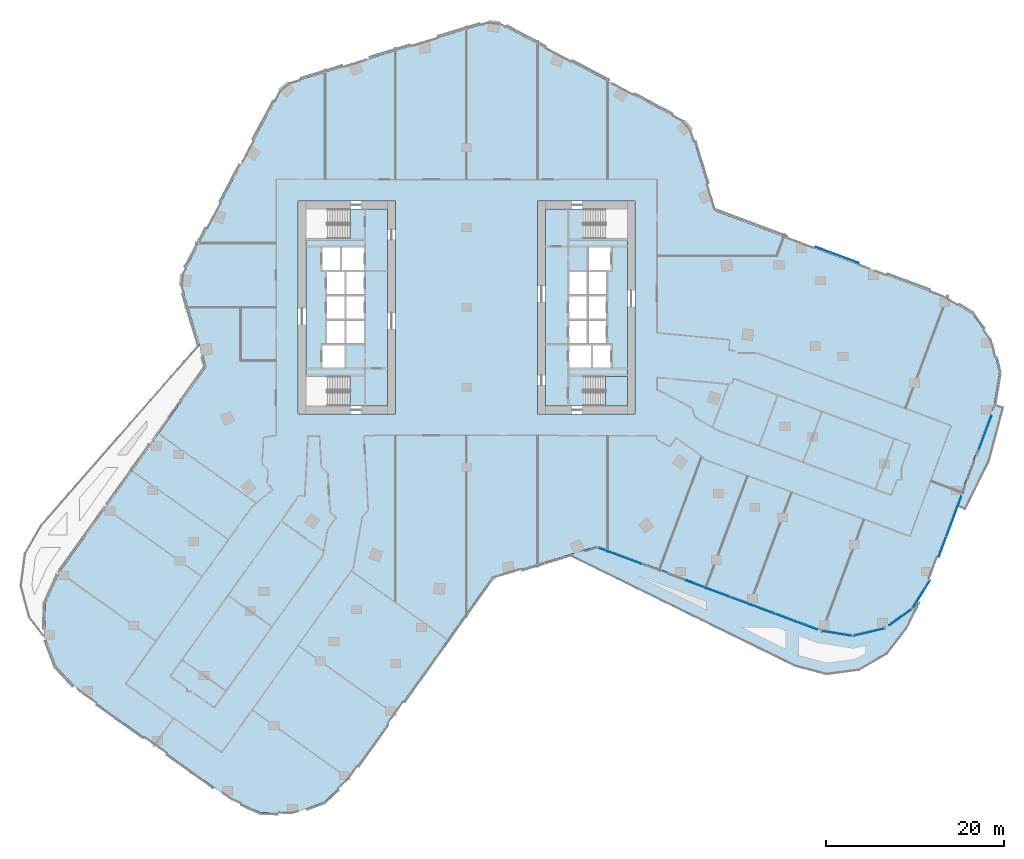
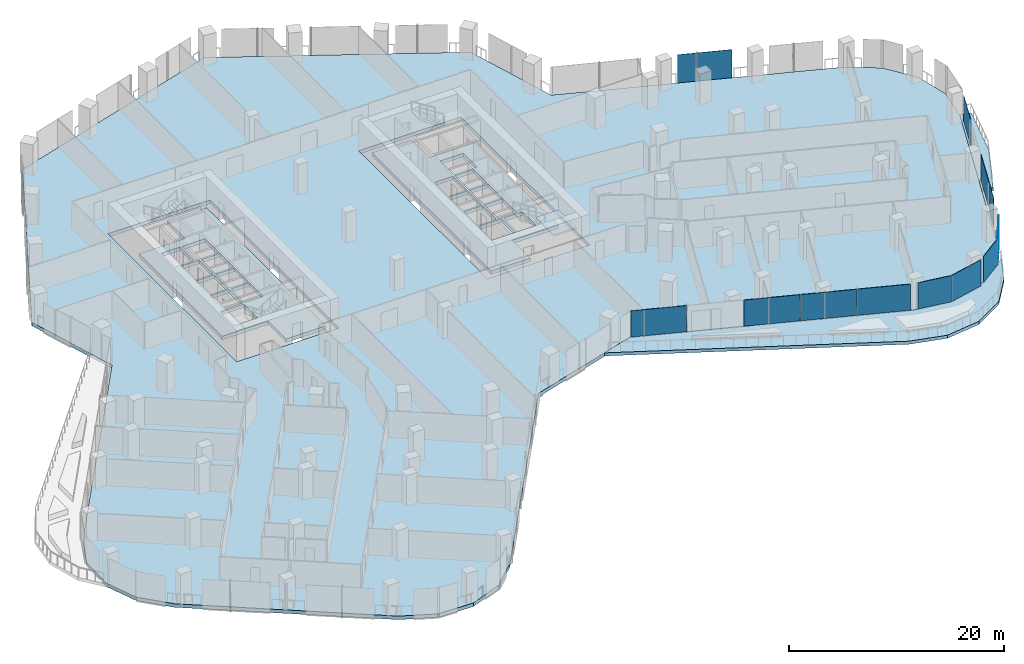
# One storey, part 18 of 30: 13 plates, 6 slabs, 8 elements without a shape of their own.
"""IFC4 building model written with IfcOpenShell, lengths in metres."""

from ifc_helpers import new_model, si_unit, direction, frame, origin, origin_2d, place, context, subcontext, project, spatial, polyline, rectangle, outline, extrude, material, layer, layer_set, type_object, element, aggregate, save


model = new_model("IFC4")

# Units and contexts
model_context = context("Model", 3, precision=1e-05, world=origin(), true_north=direction((0.0, 1.0)))
body_context = subcontext(model_context, "Body", "Model", "MODEL_VIEW")
ifc_project = project(units=[si_unit("LENGTHUNIT", "METRE"), si_unit("AREAUNIT", "SQUARE_METRE"), si_unit("VOLUMEUNIT", "CUBIC_METRE"), si_unit("PLANEANGLEUNIT", "RADIAN"), si_unit("MASSUNIT", "GRAM", prefix="KILO")], contexts=[model_context])

# Site, building, storey
site_placement = place(None, origin())
site = spatial("IfcSite", under=ifc_project, at=site_placement, CompositionType="ELEMENT")
building_placement = place(site_placement, origin())
building = spatial("IfcBuilding", under=site, at=building_placement, Name="Orlundy Tower", CompositionType="ELEMENT")
storey_placement = place(building_placement, frame((0.0, 0.0, 80.699951171875)))
storey = spatial("IfcBuildingStorey", under=building, at=storey_placement, Name="L19", CompositionType="ELEMENT", Elevation=80.699951171875)

# Curtain wall, plates
ifc_material_1 = material(Name="Aluminium bronze anodised", Category="aluminium")
curtain_wall_type = type_object("IfcCurtainWallType", Name="CW1 wall", PredefinedType="NOTDEFINED", material=ifc_material_1)
curtain_wall_1_placement = place(storey_placement, origin())
curtain_wall_1 = element("IfcCurtainWall", 1, at=curtain_wall_1_placement, inside=storey, type_object=curtain_wall_type, Name="CW1 run 06", PredefinedType="NOTDEFINED")
ifc_material_2 = material(Name="Tinted glass", Category="glass")
ifc_layer_1 = layer(ifc_material_2, 0.031982421875)
ifc_layer_set_1 = layer_set([ifc_layer_1], Name="CW1 glass panel 32")
plate_type = type_object("IfcPlateType", Name="CW1 glass panel 32", PredefinedType="CURTAIN_PANEL", material=ifc_layer_set_1)
plate_1_placement = place(storey_placement, frame((40.144287109375, 6.517822265625, -0.27978515625), z_axis=(0.0, 0.0, 1.0), x_axis=(0.93667352363, -0.350203812273, 0.0)))
plate_1 = element("IfcPlate", 2, at=plate_1_placement, type_object=plate_type, Name="CW1 panel", PredefinedType="CURTAIN_PANEL", context=body_context, shape_type="SweptSolid", body=[
    extrude(rectangle(XDim=1.779052734375, YDim=0.031982421875, at=origin_2d()), origin(), (0.0, 0.0, 1.0), 3.3798828125),
])
plate_2_placement = place(storey_placement, frame((42.58544921875, 5.605224609375, -0.27978515625), z_axis=(0.0, 0.0, 1.0), x_axis=(0.93667352363, -0.350203812273, 0.0)))
plate_2 = element("IfcPlate", 3, at=plate_2_placement, type_object=plate_type, Name="CW1 panel", PredefinedType="CURTAIN_PANEL", context=body_context, shape_type="SweptSolid", body=[
    extrude(rectangle(XDim=3.3330078125, YDim=0.031982421875, at=origin_2d()), origin(), (0.0, 0.0, 1.0), 3.3798828125),
])
aggregate(curtain_wall_1, [plate_1, plate_2])

curtain_wall_2_placement = place(storey_placement, origin())
curtain_wall_2 = element("IfcCurtainWall", 4, at=curtain_wall_2_placement, inside=storey, type_object=curtain_wall_type, Name="CW1 run 011", PredefinedType="NOTDEFINED")
plate_3_placement = place(storey_placement, frame((58.4267578125, -14.09716796875, 0.1201171875), z_axis=(0.0, 0.0, 1.0), x_axis=(-0.350194360916, -0.936677057252, 0.0)))
plate_3 = element("IfcPlate", 5, at=plate_3_placement, type_object=plate_type, Name="CW1 panel", PredefinedType="CURTAIN_PANEL", context=body_context, shape_type="SweptSolid", body=[
    extrude(rectangle(XDim=3.96337890625, YDim=0.031982421875, at=origin_2d()), origin(), (0.0, 0.0, 1.0), 2.97998046875),
])
plate_4_placement = place(storey_placement, frame((54.889892578125, -23.557861328125, 0.1201171875), z_axis=(0.0, 0.0, 1.0), x_axis=(-0.350194360916, -0.936677057252, 0.0)))
plate_4 = element("IfcPlate", 6, at=plate_4_placement, type_object=plate_type, Name="CW1 panel", PredefinedType="CURTAIN_PANEL", context=body_context, shape_type="SweptSolid", body=[
    extrude(rectangle(XDim=4.76318359375, YDim=0.031982421875, at=origin_2d()), origin(), (0.0, 0.0, 1.0), 2.97998046875),
])
plate_5_placement = place(storey_placement, frame((53.626220703125, -26.9375, -0.27978515625), z_axis=(0.0, 0.0, 1.0), x_axis=(-0.350194360916, -0.936677057252, 0.0)))
plate_5 = element("IfcPlate", 7, at=plate_5_placement, type_object=plate_type, Name="CW1 panel", PredefinedType="CURTAIN_PANEL", context=body_context, shape_type="SweptSolid", body=[
    extrude(rectangle(XDim=2.353515625, YDim=0.031982421875, at=origin_2d()), origin(), (0.0, 0.0, 1.0), 3.3798828125),
])
aggregate(curtain_wall_2, [plate_3, plate_4, plate_5])

# Curtain wall, plate
curtain_wall_3_placement = place(storey_placement, origin())
curtain_wall_3 = element("IfcCurtainWall", 8, at=curtain_wall_3_placement, inside=storey, type_object=curtain_wall_type, Name="CW1 run 012", PredefinedType="NOTDEFINED")
plate_6_placement = place(storey_placement, frame((51.2080078125, -32.35205078125, 0.1201171875), z_axis=(0.0, 0.0, 1.0), x_axis=(-0.52630817917, -0.850293890686, 0.0)))
plate_6 = element("IfcPlate", 9, at=plate_6_placement, type_object=plate_type, Name="CW1 panel", PredefinedType="CURTAIN_PANEL", context=body_context, shape_type="SweptSolid", body=[
    extrude(rectangle(XDim=3.730712890625, YDim=0.031982421875, at=origin_2d()), origin(), (0.0, 0.0, 1.0), 2.97998046875),
])
aggregate(curtain_wall_3, [plate_6])

curtain_wall_4_placement = place(storey_placement, origin())
curtain_wall_4 = element("IfcCurtainWall", 10, at=curtain_wall_4_placement, inside=storey, type_object=curtain_wall_type, Name="CW1 run 013", PredefinedType="NOTDEFINED")
plate_7_placement = place(storey_placement, frame((48.9365234375, -34.86669921875, 0.1201171875), z_axis=(0.0, 0.0, 1.0), x_axis=(-0.811503638082, -0.584347367051, 0.0)))
plate_7 = element("IfcPlate", 11, at=plate_7_placement, type_object=plate_type, Name="CW1 panel", PredefinedType="CURTAIN_PANEL", context=body_context, shape_type="SweptSolid", body=[
    extrude(rectangle(XDim=3.178466796875, YDim=0.031982421875, at=origin_2d()), origin(), (0.0, 0.0, 1.0), 2.97998046875),
])
aggregate(curtain_wall_4, [plate_7])

curtain_wall_5_placement = place(storey_placement, origin())
curtain_wall_5 = element("IfcCurtainWall", 12, at=curtain_wall_5_placement, inside=storey, type_object=curtain_wall_type, Name="CW1 run 014", PredefinedType="NOTDEFINED")
plate_8_placement = place(storey_placement, frame((45.32958984375, -36.57470703125, 0.1201171875), z_axis=(0.0, 0.0, 1.0), x_axis=(-0.97335344577, -0.229309985845, 0.0)))
plate_8 = element("IfcPlate", 13, at=plate_8_placement, type_object=plate_type, Name="CW1 panel", PredefinedType="CURTAIN_PANEL", context=body_context, shape_type="SweptSolid", body=[
    extrude(rectangle(XDim=3.77197265625, YDim=0.031982421875, at=origin_2d()), origin(), (0.0, 0.0, 1.0), 2.97998046875),
])
aggregate(curtain_wall_5, [plate_8])

curtain_wall_6_placement = place(storey_placement, origin())
curtain_wall_6 = element("IfcCurtainWall", 14, at=curtain_wall_6_placement, inside=storey, type_object=curtain_wall_type, Name="CW1 run 015", PredefinedType="NOTDEFINED")
plate_9_placement = place(storey_placement, frame((41.84814453125, -36.739013671875, 0.1201171875), z_axis=(0.0, 0.0, 1.0), x_axis=(-0.986992343076, 0.160767268774, 0.0)))
plate_9 = element("IfcPlate", 15, at=plate_9_placement, type_object=plate_type, Name="CW1 panel", PredefinedType="CURTAIN_PANEL", context=body_context, shape_type="SweptSolid", body=[
    extrude(rectangle(XDim=3.334716796875, YDim=0.031982421875, at=origin_2d()), origin(), (0.0, 0.0, 1.0), 2.97998046875),
])
aggregate(curtain_wall_6, [plate_9])

# Curtain wall, plates
curtain_wall_7_placement = place(storey_placement, origin())
curtain_wall_7 = element("IfcCurtainWall", 16, at=curtain_wall_7_placement, inside=storey, type_object=curtain_wall_type, Name="CW1 run 016", PredefinedType="NOTDEFINED")
plate_10_placement = place(storey_placement, frame((37.13427734375, -35.41162109375, 0.1201171875), z_axis=(0.0, 0.0, 1.0), x_axis=(-0.936667840729, 0.350219011684, 0.0)))
plate_10 = element("IfcPlate", 17, at=plate_10_placement, type_object=plate_type, Name="CW1 panel", PredefinedType="CURTAIN_PANEL", context=body_context, shape_type="SweptSolid", body=[
    extrude(rectangle(XDim=5.0322265625, YDim=0.031982421875, at=origin_2d()), origin(), (0.0, 0.0, 1.0), 2.97998046875),
])
plate_11_placement = place(storey_placement, frame((32.245361328125, -33.58349609375, 0.1201171875), z_axis=(0.0, 0.0, 1.0), x_axis=(-0.936667840729, 0.350219011684, 0.0)))
plate_11 = element("IfcPlate", 18, at=plate_11_placement, type_object=plate_type, Name="CW1 panel", PredefinedType="CURTAIN_PANEL", context=body_context, shape_type="SweptSolid", body=[
    extrude(rectangle(XDim=5.306640625, YDim=0.031982421875, at=origin_2d()), origin(), (0.0, 0.0, 1.0), 2.97998046875),
])
plate_12_placement = place(storey_placement, frame((27.22802734375, -31.70751953125, 0.1201171875), z_axis=(0.0, 0.0, 1.0), x_axis=(-0.936667840729, 0.350219011684, 0.0)))
plate_12 = element("IfcPlate", 19, at=plate_12_placement, type_object=plate_type, Name="CW1 panel", PredefinedType="CURTAIN_PANEL", context=body_context, shape_type="SweptSolid", body=[
    extrude(rectangle(XDim=5.306640625, YDim=0.031982421875, at=origin_2d()), origin(), (0.0, 0.0, 1.0), 2.97998046875),
])
plate_13_placement = place(storey_placement, frame((17.20751953125, -27.9609375, 0.1201171875), z_axis=(0.0, 0.0, 1.0), x_axis=(-0.936667840729, 0.350219011684, 0.0)))
plate_13 = element("IfcPlate", 20, at=plate_13_placement, type_object=plate_type, Name="CW1 panel", PredefinedType="CURTAIN_PANEL", context=body_context, shape_type="SweptSolid", body=[
    extrude(rectangle(XDim=5.27587890625, YDim=0.031982421875, at=origin_2d()), origin(), (0.0, 0.0, 1.0), 2.97998046875),
])
aggregate(curtain_wall_7, [plate_10, plate_11, plate_12, plate_13])

# Slabs
ifc_material_3 = material(Name="Concrete C50/60", Category="concrete")
ifc_layer_2 = layer(ifc_material_3, 0.409912109375)
ifc_layer_set_2 = layer_set([ifc_layer_2], Name="Core Floor Slab 410")
slab_type_1 = type_object("IfcSlabType", Name="Core Floor Slab 410", PredefinedType="FLOOR", material=ifc_layer_set_2)
slab_1_placement = place(storey_placement, frame((0.0, 0.0, -0.409912109375)))
element("IfcSlab", 21, at=slab_1_placement, inside=storey, type_object=slab_type_1, Name="Core floor W16", PredefinedType="FLOOR", context=body_context, shape_type="SweptSolid", body=[
    extrude(outline(polyline([(-13.14501953125, 7.75), (-13.14501953125, 11.10009765625), (-8.89990234375, 11.10009765625), (-8.89990234375, -11.10009765625), (-13.14501953125, -11.10009765625), (-13.14501953125, -7.75), (-18.10009765625, -7.75), (-18.10009765625, 7.75), (-13.14501953125, 7.75)]), holes=[polyline([(-16.239990234375, -6.77490234375), (-13.739990234375, -6.77490234375), (-13.739990234375, -4.22509765625), (-16.239990234375, -4.22509765625), (-16.239990234375, -6.77490234375)]), polyline([(-13.5400390625, -1.47509765625), (-13.5400390625, -4.02490234375), (-11.5400390625, -4.02490234375), (-11.5400390625, -1.47509765625), (-13.5400390625, -1.47509765625)]), polyline([(-13.739990234375, -1.47509765625), (-15.739990234375, -1.47509765625), (-15.739990234375, -4.02490234375), (-13.739990234375, -4.02490234375), (-13.739990234375, -1.47509765625)]), polyline([(-11.5400390625, -1.27490234375), (-11.5400390625, 1.27490234375), (-13.5400390625, 1.27490234375), (-13.5400390625, -1.27490234375), (-11.5400390625, -1.27490234375)]), polyline([(-15.739990234375, -1.27490234375), (-13.739990234375, -1.27490234375), (-13.739990234375, 1.27490234375), (-15.739990234375, 1.27490234375), (-15.739990234375, -1.27490234375)]), polyline([(-13.5400390625, 4.02490234375), (-13.5400390625, 1.47509765625), (-11.5400390625, 1.47509765625), (-11.5400390625, 4.02490234375), (-13.5400390625, 4.02490234375)]), polyline([(-13.739990234375, 4.02490234375), (-15.739990234375, 4.02490234375), (-15.739990234375, 1.47509765625), (-13.739990234375, 1.47509765625), (-13.739990234375, 4.02490234375)]), polyline([(-11.5400390625, 4.22509765625), (-11.5400390625, 6.77490234375), (-14.0400390625, 6.77490234375), (-14.0400390625, 4.22509765625), (-11.5400390625, 4.22509765625)]), polyline([(-16.239990234375, 4.22509765625), (-14.239990234375, 4.22509765625), (-14.239990234375, 6.77490234375), (-16.239990234375, 6.77490234375), (-16.239990234375, 4.22509765625)])]), origin(), (0.0, 0.0, 1.0), 0.409912109375),
])
slab_2_placement = place(storey_placement, frame((0.0, 0.0, -0.409912109375)))
element("IfcSlab", 22, at=slab_2_placement, inside=storey, type_object=slab_type_1, Name="Core floor E16", PredefinedType="FLOOR", context=body_context, shape_type="SweptSolid", body=[
    extrude(outline(polyline([(13.14501953125, -7.75), (13.14501953125, -11.10009765625), (8.89990234375, -11.10009765625), (8.89990234375, 11.10009765625), (13.14501953125, 11.10009765625), (13.14501953125, 7.75), (18.10009765625, 7.75), (18.10009765625, -7.75), (13.14501953125, -7.75)]), holes=[polyline([(16.239990234375, 6.77490234375), (13.739990234375, 6.77490234375), (13.739990234375, 4.22509765625), (16.239990234375, 4.22509765625), (16.239990234375, 6.77490234375)]), polyline([(13.5400390625, 1.47509765625), (13.5400390625, 4.02490234375), (11.5400390625, 4.02490234375), (11.5400390625, 1.47509765625), (13.5400390625, 1.47509765625)]), polyline([(13.739990234375, 1.47509765625), (15.739990234375, 1.47509765625), (15.739990234375, 4.02490234375), (13.739990234375, 4.02490234375), (13.739990234375, 1.47509765625)]), polyline([(11.5400390625, 1.27490234375), (11.5400390625, -1.27490234375), (13.5400390625, -1.27490234375), (13.5400390625, 1.27490234375), (11.5400390625, 1.27490234375)]), polyline([(15.739990234375, 1.27490234375), (13.739990234375, 1.27490234375), (13.739990234375, -1.27490234375), (15.739990234375, -1.27490234375), (15.739990234375, 1.27490234375)]), polyline([(13.5400390625, -4.02490234375), (13.5400390625, -1.47509765625), (11.5400390625, -1.47509765625), (11.5400390625, -4.02490234375), (13.5400390625, -4.02490234375)]), polyline([(13.739990234375, -4.02490234375), (15.739990234375, -4.02490234375), (15.739990234375, -1.47509765625), (13.739990234375, -1.47509765625), (13.739990234375, -4.02490234375)]), polyline([(11.5400390625, -4.22509765625), (11.5400390625, -6.77490234375), (14.0400390625, -6.77490234375), (14.0400390625, -4.22509765625), (11.5400390625, -4.22509765625)]), polyline([(16.239990234375, -4.22509765625), (14.239990234375, -4.22509765625), (14.239990234375, -6.77490234375), (16.239990234375, -6.77490234375), (16.239990234375, -4.22509765625)])]), origin(), (0.0, 0.0, 1.0), 0.409912109375),
])

# Stair, slab
ifc_material_4 = material(Name="Concrete C50/60", Category="concrete")
stair_type = type_object("IfcStairType", Name="Exit Stair 20 risers", PredefinedType="HALF_TURN_STAIR", material=ifc_material_4)
stair_placement = place(storey_placement, origin())
stair = element("IfcStair", 23, at=stair_placement, inside=storey, type_object=stair_type, Name="L19 Exit Stair ST-E1", PredefinedType="HALF_TURN_STAIR")
ifc_material_5 = material(Name="Concrete C50/60", Category="concrete")
ifc_layer_3 = layer(ifc_material_5, 0.199951171875)
ifc_layer_set_3 = layer_set([ifc_layer_3], Name="Exit Stair Landing")
slab_type_2 = type_object("IfcSlabType", Name="Exit Stair Landing", PredefinedType="LANDING", material=ifc_layer_set_3)
slab_3_placement = place(storey_placement, frame((0.0, 0.0, 1.550048828125)))
slab_3 = element("IfcSlab", 24, at=slab_3_placement, type_object=slab_type_2, Name="ST-E1 landing 1", PredefinedType="LANDING", context=body_context, shape_type="SweptSolid", body=[
    extrude(outline(polyline([(15.659912109375, -11.10009765625), (18.10009765625, -11.10009765625), (18.10009765625, -7.75), (15.659912109375, -7.75), (15.659912109375, -11.10009765625)])), origin(), (0.0, 0.0, 1.0), 0.199951171875),
])
aggregate(stair, [slab_3])

# Slabs
ifc_material_6 = material(Name="Concrete C45/55", Category="concrete")
ifc_layer_4 = layer(ifc_material_6, 0.39990234375)
ifc_layer_set_4 = layer_set([ifc_layer_4], Name="FLOOR SLAB THICK 400 C45/55")
slab_type_3 = type_object("IfcSlabType", Name="FLOOR SLAB THICK 400 C45/55", PredefinedType="FLOOR", material=ifc_layer_set_4)
slab_4_placement = place(storey_placement, frame((0.0, 0.0, -0.39990234375)))
element("IfcSlab", 25, at=slab_4_placement, inside=storey, type_object=slab_type_3, Name="Floor slab L19", PredefinedType="FLOOR", context=body_context, shape_type="SweptSolid", body=[
    extrude(outline(polyline([(-29.3291015625, -6.677001953125), (-32.322021484375, 3.112060546875), (-20.655029296875, 25.055908203125), (3.112060546875, 32.322021484375), (25.055908203125, 20.655029296875), (28.049072265625, 10.864990234375), (53.837890625, 1.222900390625), (56.989990234375, -0.72705078125), (59.155029296875, -3.736083984375), (60.0048828125, -7.343994140625), (59.408935546875, -11.001953125), (52.054931640625, -30.672119140625), (50.10400390625, -33.823974609375), (47.095947265625, -35.989990234375), (43.488037109375, -36.840087890625), (39.8291015625, -36.243896484375), (14.741943359375, -26.864013671875), (2.801025390625, -30.513916015625), (-13.333984375, -53.134033203125), (-16.032958984375, -55.674072265625), (-19.5, -56.987060546875), (-23.205078125, -56.8740234375), (-26.583984375, -55.35107421875), (-43.680908203125, -43.156982421875), (-46.220947265625, -40.45703125), (-47.533935546875, -36.989990234375), (-47.4208984375, -33.284912109375), (-45.89794921875, -29.906005859375), (-29.3291015625, -6.677001953125)]), holes=[polyline([(-8.0, -12.0), (-8.0, 12.0), (-19.0, 12.0), (-19.0, -12.0), (-8.0, -12.0)]), polyline([(19.0, -12.0), (19.0, 12.0), (8.0, 12.0), (8.0, -12.0), (19.0, -12.0)])]), origin(), (0.0, 0.0, 1.0), 0.39990234375),
])
ifc_material_7 = material(Name="Concrete C45/55", Category="concrete")
ifc_layer_5 = layer(ifc_material_7, 0.35009765625)
ifc_layer_set_5 = layer_set([ifc_layer_5], Name="TERRACE SLAB 350 C45/55")
slab_type_4 = type_object("IfcSlabType", Name="TERRACE SLAB 350 C45/55", PredefinedType="ROOF", material=ifc_layer_set_5)
slab_5_placement = place(storey_placement, frame((0.0, 0.0, -0.349853515625)))
element("IfcSlab", 26, at=slab_5_placement, inside=storey, type_object=slab_type_4, Name="Terrace slab L19-1", PredefinedType="ROOF", context=body_context, shape_type="SweptSolid", body=[
    extrude(outline(polyline([(56.197021484375, -22.818115234375), (55.158935546875, -22.3701171875), (59.451904296875, -10.885009765625), (60.533935546875, -11.22998046875), (58.929931640625, -17.256103515625), (56.197021484375, -22.818115234375)])), origin(), (0.0, 0.0, 1.0), 0.349853515625),
])
slab_6_placement = place(storey_placement, frame((0.0, 0.0, -0.349853515625)))
element("IfcSlab", 27, at=slab_6_placement, inside=storey, type_object=slab_type_4, Name="Terrace slab L19-2", PredefinedType="ROOF", context=body_context, shape_type="SweptSolid", body=[
    extrude(outline(polyline([(11.40087890625, -27.885986328125), (14.741943359375, -26.864013671875), (39.8291015625, -36.243896484375), (43.488037109375, -36.840087890625), (47.095947265625, -35.989990234375), (51.162109375, -33.06201171875), (49.6689453125, -36.10302734375), (47.4169921875, -39.047119140625), (44.2099609375, -40.905029296875), (40.534912109375, -41.39501953125), (36.9541015625, -40.43994140625), (11.40087890625, -27.885986328125)])), origin(), (0.0, 0.0, 1.0), 0.349853515625),
])

save(model, "model.ifc")
